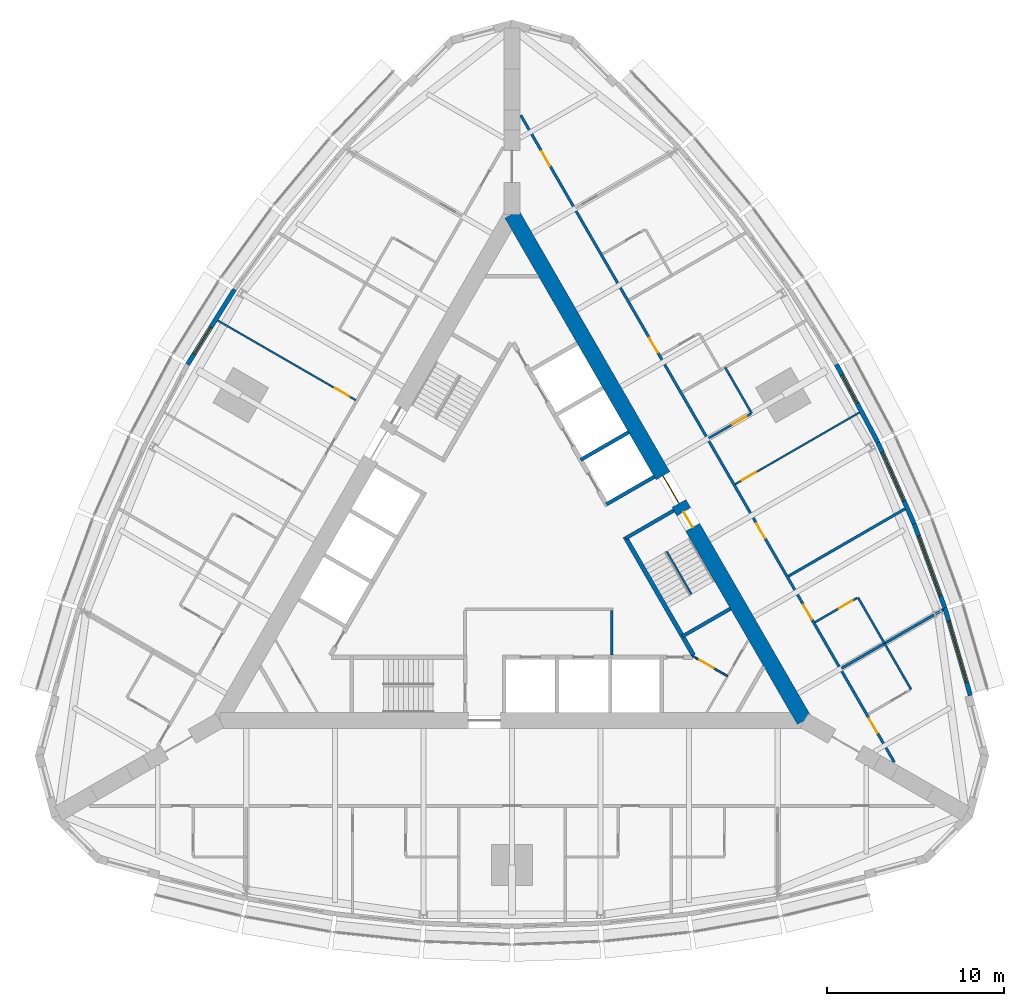
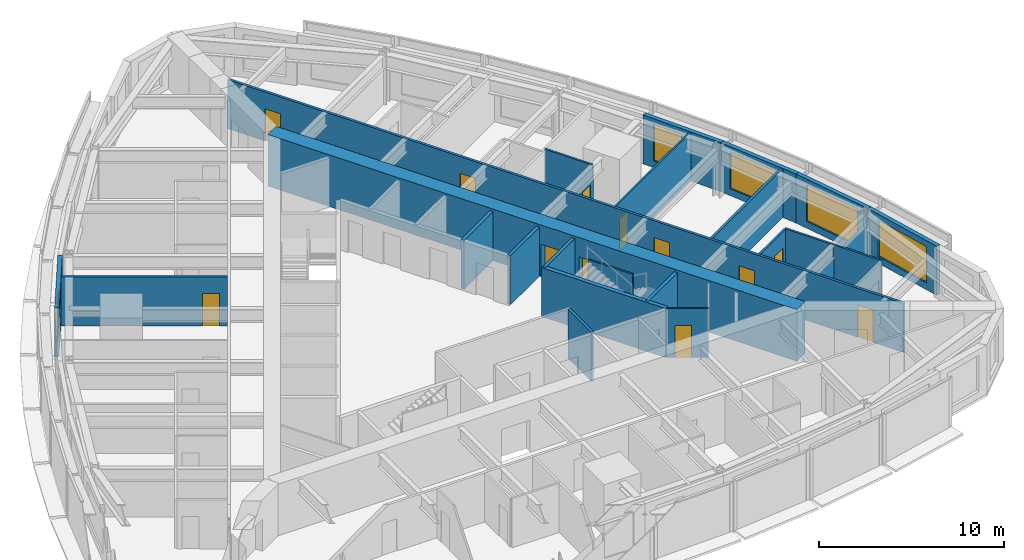
# One storey, part 11 of 14: 24 walls, 12 doors, 5 windows, 17 openings.
"""IFC4 building model written with IfcOpenShell, lengths in metres."""

from ifc_helpers import new_model, si_unit, direction, frame, frame_2d, origin, place, context, subcontext, project, spatial, rectangle, extrude, material, layer, layer_set, type_object, element, fill, save


model = new_model("IFC4")

# Units and contexts
model_context = context("Model", 3, precision=1e-05, world=origin(), true_north=direction((0.0, 1.0)))
body_context = subcontext(model_context, "Body", "Model", "MODEL_VIEW")
ifc_project = project(units=[si_unit("LENGTHUNIT", "METRE"), si_unit("AREAUNIT", "SQUARE_METRE"), si_unit("VOLUMEUNIT", "CUBIC_METRE"), si_unit("PLANEANGLEUNIT", "RADIAN"), si_unit("MASSUNIT", "GRAM", prefix="KILO")], contexts=[model_context])

# Site, building, storey
site_placement = place(None, origin())
site = spatial("IfcSite", under=ifc_project, at=site_placement, CompositionType="ELEMENT")
building_placement = place(site_placement, origin())
building = spatial("IfcBuilding", under=site, at=building_placement, Name="Trikona Tower", CompositionType="ELEMENT")
storey_placement = place(building_placement, frame((0.0, 0.0, 172.5)))
storey = spatial("IfcBuildingStorey", under=building, at=storey_placement, Name="L46", CompositionType="ELEMENT", Elevation=172.5)

# Walls
ifc_material_1 = material(Name="Metal stud and cement board", Category="gypsum")
ifc_layer_1 = layer(ifc_material_1, 0.1201171875)
ifc_layer_set_1 = layer_set([ifc_layer_1], Name="Bathroom wall 120")
wall_type_1 = type_object("IfcWallType", Name="Bathroom wall 120", PredefinedType="PLUMBINGWALL", material=ifc_layer_set_1)
for number, where, z_axis, x_axis, name in (
    (1, (22.53271484375, -7.775390625, 0.0), (0.0, 0.0, 1.0), (-0.499990139034, 0.866031096941, 0.0), "Bathroom wall 4605"),
    (2, (21.03271484375, -5.17724609375, 0.0), (0.0, 0.0, 1.0), (-0.499990139034, 0.866031096941, 0.0), "Bathroom wall 4606"),
):
    element("IfcWall", number, at=place(storey_placement, frame(where, z_axis=z_axis, x_axis=x_axis)), inside=storey, type_object=wall_type_1, Name=name, PredefinedType="PLUMBINGWALL", context=body_context, shape_type="SweptSolid", body=[
        extrude(rectangle(XDim=3.0, YDim=0.1201171875, at=frame_2d((1.5, 0.0))), origin(), (0.0, 0.0, 1.0), 3.235107421875),
    ])

# Wall, opening, door
wall_1_placement = place(storey_placement, frame((17.10791015625, -3.979248046875, 0.0), z_axis=(0.0, 0.0, 1.0), x_axis=(0.865997131366, 0.500048966069, 0.0)))
wall_1 = element("IfcWall", 3, at=wall_1_placement, inside=storey, type_object=wall_type_1, Name="Bathroom wall 4606", PredefinedType="PLUMBINGWALL", context=body_context, shape_type="SweptSolid", body=[
    extrude(rectangle(XDim=2.739990234375, YDim=0.1201171875, at=frame_2d((1.3701171875, 0.0))), origin(), (0.0, 0.0, 1.0), 3.235107421875),
])
opening_1_placement = place(wall_1_placement, frame((1.550048828125, 0.0, 0.0)))
opening_1 = element("IfcOpeningElement", 4, at=opening_1_placement, cuts=wall_1, Name="Opening D2", PredefinedType="OPENING", context=body_context, shape_type="SweptSolid", body=[
    extrude(rectangle(XDim=0.89990234375, YDim=2.1298828125, at=frame_2d((0.449951171875, 1.06494140625))), frame((0.0, 0.070068359375, 0.0), z_axis=(0.0, -1.0, 0.0), x_axis=(1.0, 0.0, 0.0)), (0.0, 0.0, 1.0), 0.14013671875),
])
ifc_material_2 = material(Name="Steel door frame with solid-core timber leaf", Category="steel")
door_type_1 = type_object("IfcDoorType", Name="Bathroom door 900x2130", OperationType="SLIDING_TO_LEFT", PredefinedType="DOOR", material=ifc_material_2)
door_1_placement = place(opening_1_placement, origin())
door_1 = element("IfcDoor", 5, at=door_1_placement, inside=storey, type_object=door_type_1, Name="Bathroom door 4606", OperationType="SLIDING_TO_LEFT", OverallHeight=2.1298828125, OverallWidth=0.89990234375, PredefinedType="DOOR", context=body_context, shape_type="SweptSolid", body=[
    extrude(rectangle(XDim=0.89990234375, YDim=2.1298828125, at=frame_2d((0.449951171875, 1.06494140625))), frame((0.0, 0.02490234375, 0.0), z_axis=(0.0, -1.0, 0.0), x_axis=(1.0, 0.0, 0.0)), (0.0, 0.0, 1.0), 0.050048828125),
])
fill(opening_1, door_1)

# Wall
wall_2_placement = place(storey_placement, frame((13.53271484375, 7.81298828125, 0.0), z_axis=(0.0, 0.0, 1.0), x_axis=(-0.499990139034, 0.866031096941, 0.0)))
element("IfcWall", 6, at=wall_2_placement, inside=storey, type_object=wall_type_1, Name="Bathroom wall 4607.1", PredefinedType="PLUMBINGWALL", context=body_context, shape_type="SweptSolid", body=[
    extrude(rectangle(XDim=3.0, YDim=0.1201171875, at=frame_2d((1.5, 0.0))), origin(), (0.0, 0.0, 1.0), 3.235107421875),
])

# Wall, opening, door
wall_3_placement = place(storey_placement, frame((11.10791015625, 6.4130859375, 0.0), z_axis=(0.0, 0.0, 1.0), x_axis=(0.865997131366, 0.500048966069, 0.0)))
wall_3 = element("IfcWall", 7, at=wall_3_placement, inside=storey, type_object=wall_type_1, Name="Bathroom wall 4607.1", PredefinedType="PLUMBINGWALL", context=body_context, shape_type="SweptSolid", body=[
    extrude(rectangle(XDim=2.739990234375, YDim=0.1201171875, at=frame_2d((1.3701171875, 0.0))), origin(), (0.0, 0.0, 1.0), 2.38916015625),
])
opening_2_placement = place(wall_3_placement, frame((1.550048828125, 0.0, 0.0)))
opening_2 = element("IfcOpeningElement", 8, at=opening_2_placement, cuts=wall_3, Name="Opening D2", PredefinedType="OPENING", context=body_context, shape_type="SweptSolid", body=[
    extrude(rectangle(XDim=0.89990234375, YDim=2.1298828125, at=frame_2d((0.449951171875, 1.06494140625))), frame((0.0, 0.070068359375, 0.0), z_axis=(0.0, -1.0, 0.0), x_axis=(1.0, 0.0, 0.0)), (0.0, 0.0, 1.0), 0.14013671875),
])
door_2_placement = place(opening_2_placement, origin())
door_2 = element("IfcDoor", 9, at=door_2_placement, inside=storey, type_object=door_type_1, Name="Bathroom door 4607.1", OperationType="SLIDING_TO_LEFT", OverallHeight=2.1298828125, OverallWidth=0.89990234375, PredefinedType="DOOR", context=body_context, shape_type="SweptSolid", body=[
    extrude(rectangle(XDim=0.89990234375, YDim=2.1298828125, at=frame_2d((0.449951171875, 1.06494140625))), frame((0.0, 0.02490234375, 0.0), z_axis=(0.0, -1.0, 0.0), x_axis=(1.0, 0.0, 0.0)), (0.0, 0.0, 1.0), 0.050048828125),
])
fill(opening_2, door_2)

# Wall, openings, doors
ifc_material_3 = material(Name="Concrete f'c 10000 psi", Category="concrete")
ifc_layer_2 = layer(ifc_material_3, 0.89990234375)
ifc_layer_set_2 = layer_set([ifc_layer_2], Name="Core wall 900")
wall_type_2 = type_object("IfcWallType", Name="Core wall 900", PredefinedType="SHEAR", material=ifc_layer_set_2)
wall_4_placement = place(storey_placement, frame((16.5, -9.5263671875, 0.0), z_axis=(0.0, 0.0, 1.0), x_axis=(-0.499999749417, 0.866025548458, 0.0)))
wall_4 = element("IfcWall", 10, at=wall_4_placement, inside=storey, type_object=wall_type_2, Name="Core wall B", PredefinedType="SHEAR", context=body_context, shape_type="SweptSolid", body=[
    extrude(rectangle(XDim=33.0, YDim=0.89990234375, at=frame_2d((16.5, 0.0))), origin(), (0.0, 0.0, 1.0), 3.39990234375),
])
opening_3_placement = place(wall_4_placement, frame((14.14990234375, 0.0, 0.0)))
opening_3 = element("IfcOpeningElement", 11, at=opening_3_placement, cuts=wall_4, Name="Opening D6", PredefinedType="OPENING", context=body_context, shape_type="SweptSolid", body=[
    extrude(rectangle(XDim=1.800048828125, YDim=2.1298828125, at=frame_2d((0.89990234375, 1.06494140625))), frame((0.0, 0.4599609375, 0.0), z_axis=(0.0, -1.0, 0.0), x_axis=(1.0, 0.0, 0.0)), (0.0, 0.0, 1.0), 0.919921875),
])
opening_4_placement = place(wall_4_placement, frame((12.60009765625, 0.0, 0.0)))
opening_4 = element("IfcOpeningElement", 12, at=opening_4_placement, cuts=wall_4, Name="Opening D5", PredefinedType="OPENING", context=body_context, shape_type="SweptSolid", body=[
    extrude(rectangle(XDim=1.0, YDim=2.1298828125, at=frame_2d((0.5, 1.06494140625))), frame((0.0, 0.4599609375, 0.0), z_axis=(0.0, -1.0, 0.0), x_axis=(1.0, 0.0, 0.0)), (0.0, 0.0, 1.0), 0.919921875),
])
ifc_material_4 = material(Name="Hollow metal door and frame", Category="steel")
door_type_2 = type_object("IfcDoorType", Name="Lobby door pair 1800x2130", OperationType="DOUBLE_DOOR_SINGLE_SWING", PredefinedType="DOOR", material=ifc_material_4)
door_3_placement = place(opening_3_placement, origin())
door_3 = element("IfcDoor", 13, at=door_3_placement, inside=storey, type_object=door_type_2, Name="Lift lobby door B", OperationType="DOUBLE_DOOR_SINGLE_SWING", OverallHeight=2.1298828125, OverallWidth=1.800048828125, PredefinedType="DOOR", context=body_context, shape_type="SweptSolid", body=[
    extrude(rectangle(XDim=1.800048828125, YDim=2.1298828125, at=frame_2d((0.89990234375, 1.06494140625))), frame((0.0, 0.02490234375, 0.0), z_axis=(0.0, -1.0, 0.0), x_axis=(1.0, 0.0, 0.0)), (0.0, 0.0, 1.0), 0.050048828125),
])
fill(opening_3, door_3)
ifc_material_5 = material(Name="Hollow metal door and frame", Category="steel")
door_type_3 = type_object("IfcDoorType", Name="Stair door 1000x2130", OperationType="SINGLE_SWING_LEFT", PredefinedType="DOOR", material=ifc_material_5)
door_4_placement = place(opening_4_placement, origin())
door_4 = element("IfcDoor", 14, at=door_4_placement, inside=storey, type_object=door_type_3, Name="Stair B door", OperationType="SINGLE_SWING_RIGHT", OverallHeight=2.1298828125, OverallWidth=1.0, PredefinedType="DOOR", context=body_context, shape_type="SweptSolid", body=[
    extrude(rectangle(XDim=1.0, YDim=2.1298828125, at=frame_2d((0.5, 1.06494140625))), frame((0.0, 0.02490234375, 0.0), z_axis=(0.0, -1.0, 0.0), x_axis=(1.0, 0.0, 0.0)), (0.0, 0.0, 1.0), 0.050048828125),
])
fill(opening_4, door_4)

ifc_material_6 = material(Name="Metal stud and gypsum board, 1-hour", Category="gypsum")
ifc_layer_3 = layer(ifc_material_6, 0.14990234375)
ifc_layer_set_3 = layer_set([ifc_layer_3], Name="Corridor wall 150")
wall_type_3 = type_object("IfcWallType", Name="Corridor wall 150", PredefinedType="PARTITIONING", material=ifc_layer_set_3)
wall_5_placement = place(storey_placement, frame((21.5859375, -11.88525390625, 0.0), z_axis=(0.0, 0.0, 1.0), x_axis=(-0.500001915564, 0.86602429783, 0.0)))
wall_5 = element("IfcWall", 15, at=wall_5_placement, inside=storey, type_object=wall_type_3, Name="Corridor wall L46-2", PredefinedType="PARTITIONING", context=body_context, shape_type="SweptSolid", body=[
    extrude(rectangle(XDim=42.171630859375, YDim=0.14990234375, at=frame_2d((21.0859375, 0.0))), origin(), (0.0, 0.0, 1.0), 3.235107421875),
])
opening_5_placement = place(wall_5_placement, frame((1.910888671875, 0.0, 0.0)))
opening_5 = element("IfcOpeningElement", 16, at=opening_5_placement, cuts=wall_5, Name="Opening D1", PredefinedType="OPENING", context=body_context, shape_type="SweptSolid", body=[
    extrude(rectangle(XDim=0.949951171875, YDim=2.1298828125, at=frame_2d((0.47509765625, 1.06494140625))), frame((0.0, 0.0849609375, 0.0), z_axis=(0.0, -1.0, 0.0), x_axis=(1.0, 0.0, 0.0)), (0.0, 0.0, 1.0), 0.169921875),
])
opening_6_placement = place(wall_5_placement, frame((9.310791015625, 0.0, 0.0)))
opening_6 = element("IfcOpeningElement", 17, at=opening_6_placement, cuts=wall_5, Name="Opening D1", PredefinedType="OPENING", context=body_context, shape_type="SweptSolid", body=[
    extrude(rectangle(XDim=0.949951171875, YDim=2.1298828125, at=frame_2d((0.47509765625, 1.06494140625))), frame((0.0, 0.0849609375, 0.0), z_axis=(0.0, -1.0, 0.0), x_axis=(1.0, 0.0, 0.0)), (0.0, 0.0, 1.0), 0.169921875),
])
opening_7_placement = place(wall_5_placement, frame((14.61083984375, 0.0, 0.0)))
opening_7 = element("IfcOpeningElement", 18, at=opening_7_placement, cuts=wall_5, Name="Opening D1", PredefinedType="OPENING", context=body_context, shape_type="SweptSolid", body=[
    extrude(rectangle(XDim=0.949951171875, YDim=2.1298828125, at=frame_2d((0.47509765625, 1.06494140625))), frame((0.0, 0.0849609375, 0.0), z_axis=(0.0, -1.0, 0.0), x_axis=(1.0, 0.0, 0.0)), (0.0, 0.0, 1.0), 0.169921875),
])
opening_8_placement = place(wall_5_placement, frame((26.7109375, 0.0, 0.0)))
opening_8 = element("IfcOpeningElement", 19, at=opening_8_placement, cuts=wall_5, Name="Opening D1", PredefinedType="OPENING", context=body_context, shape_type="SweptSolid", body=[
    extrude(rectangle(XDim=0.949951171875, YDim=2.1298828125, at=frame_2d((0.47509765625, 1.06494140625))), frame((0.0, 0.0849609375, 0.0), z_axis=(0.0, -1.0, 0.0), x_axis=(1.0, 0.0, 0.0)), (0.0, 0.0, 1.0), 0.169921875),
])
opening_9_placement = place(wall_5_placement, frame((38.884033203125, 0.0, 0.0)))
opening_9 = element("IfcOpeningElement", 20, at=opening_9_placement, cuts=wall_5, Name="Opening D1", PredefinedType="OPENING", context=body_context, shape_type="SweptSolid", body=[
    extrude(rectangle(XDim=0.949951171875, YDim=2.1298828125, at=frame_2d((0.47509765625, 1.06494140625))), frame((0.0, 0.0849609375, 0.0), z_axis=(0.0, -1.0, 0.0), x_axis=(1.0, 0.0, 0.0)), (0.0, 0.0, 1.0), 0.169921875),
])
ifc_material_7 = material(Name="Steel door frame with solid-core timber leaf", Category="steel")
door_type_4 = type_object("IfcDoorType", Name="Guest room door 950x2130", OperationType="SINGLE_SWING_LEFT", PredefinedType="DOOR", material=ifc_material_7)
door_5_placement = place(opening_5_placement, origin())
door_5 = element("IfcDoor", 21, at=door_5_placement, inside=storey, type_object=door_type_4, Name="Room door 4605", OperationType="SINGLE_SWING_LEFT", OverallHeight=2.1298828125, OverallWidth=0.949951171875, PredefinedType="DOOR", context=body_context, shape_type="SweptSolid", body=[
    extrude(rectangle(XDim=0.949951171875, YDim=2.1298828125, at=frame_2d((0.47509765625, 1.06494140625))), frame((0.0, 0.02490234375, 0.0), z_axis=(0.0, -1.0, 0.0), x_axis=(1.0, 0.0, 0.0)), (0.0, 0.0, 1.0), 0.050048828125),
])
fill(opening_5, door_5)
door_6_placement = place(opening_6_placement, origin())
door_6 = element("IfcDoor", 22, at=door_6_placement, inside=storey, type_object=door_type_4, Name="Room door 4606", OperationType="SINGLE_SWING_RIGHT", OverallHeight=2.1298828125, OverallWidth=0.949951171875, PredefinedType="DOOR", context=body_context, shape_type="SweptSolid", body=[
    extrude(rectangle(XDim=0.949951171875, YDim=2.1298828125, at=frame_2d((0.47509765625, 1.06494140625))), frame((0.0, 0.02490234375, 0.0), z_axis=(0.0, -1.0, 0.0), x_axis=(1.0, 0.0, 0.0)), (0.0, 0.0, 1.0), 0.050048828125),
])
fill(opening_6, door_6)
door_7_placement = place(opening_7_placement, origin())
door_7 = element("IfcDoor", 23, at=door_7_placement, inside=storey, type_object=door_type_4, Name="Room door 4607", OperationType="SINGLE_SWING_LEFT", OverallHeight=2.1298828125, OverallWidth=0.949951171875, PredefinedType="DOOR", context=body_context, shape_type="SweptSolid", body=[
    extrude(rectangle(XDim=0.949951171875, YDim=2.1298828125, at=frame_2d((0.47509765625, 1.06494140625))), frame((0.0, 0.02490234375, 0.0), z_axis=(0.0, -1.0, 0.0), x_axis=(1.0, 0.0, 0.0)), (0.0, 0.0, 1.0), 0.050048828125),
])
fill(opening_7, door_7)
door_8_placement = place(opening_8_placement, origin())
door_8 = element("IfcDoor", 24, at=door_8_placement, inside=storey, type_object=door_type_4, Name="Room door 4608", OperationType="SINGLE_SWING_RIGHT", OverallHeight=2.1298828125, OverallWidth=0.949951171875, PredefinedType="DOOR", context=body_context, shape_type="SweptSolid", body=[
    extrude(rectangle(XDim=0.949951171875, YDim=2.1298828125, at=frame_2d((0.47509765625, 1.06494140625))), frame((0.0, 0.02490234375, 0.0), z_axis=(0.0, -1.0, 0.0), x_axis=(1.0, 0.0, 0.0)), (0.0, 0.0, 1.0), 0.050048828125),
])
fill(opening_8, door_8)
door_9_placement = place(opening_9_placement, origin())
door_9 = element("IfcDoor", 25, at=door_9_placement, inside=storey, type_object=door_type_4, Name="Room door 4609", OperationType="SINGLE_SWING_RIGHT", OverallHeight=2.1298828125, OverallWidth=0.949951171875, PredefinedType="DOOR", context=body_context, shape_type="SweptSolid", body=[
    extrude(rectangle(XDim=0.949951171875, YDim=2.1298828125, at=frame_2d((0.47509765625, 1.06494140625))), frame((0.0, 0.02490234375, 0.0), z_axis=(0.0, -1.0, 0.0), x_axis=(1.0, 0.0, 0.0)), (0.0, 0.0, 1.0), 0.050048828125),
])
fill(opening_9, door_9)

# Wall
ifc_material_8 = material(Name="Concrete f'c 8000 psi", Category="concrete")
ifc_layer_4 = layer(ifc_material_8, 0.25)
ifc_layer_set_4 = layer_set([ifc_layer_4], Name="Hub wall 250")
wall_type_4 = type_object("IfcWallType", Name="Hub wall 250", PredefinedType="SOLIDWALL", material=ifc_layer_set_4)
wall_6_placement = place(storey_placement, frame((10.245361328125, -5.843017578125, 0.0), z_axis=(0.0, 0.0, 1.0), x_axis=(-0.499993009313, 0.866029439822, 0.0)))
element("IfcWall", 26, at=wall_6_placement, inside=storey, type_object=wall_type_4, Name="Lift lobby wall B1", PredefinedType="SOLIDWALL", context=body_context, shape_type="SweptSolid", body=[
    extrude(rectangle(XDim=7.73291015625, YDim=0.25, at=frame_2d((3.866455078125, 0.0))), origin(), (0.0, 0.0, 1.0), 3.235107421875),
])

# Wall, opening, window
ifc_material_9 = material(Name="Insulated precast concrete spandrel panel", Category="concrete")
ifc_layer_5 = layer(ifc_material_9, 0.25)
ifc_layer_set_5 = layer_set([ifc_layer_5], Name="Inner skin wall 250")
wall_type_5 = type_object("IfcWallType", Name="Inner skin wall 250", PredefinedType="STANDARD", material=ifc_layer_set_5)
wall_7_placement = place(storey_placement, frame((25.8798828125, -8.117919921875, 0.0), z_axis=(0.0, 0.0, 1.0), x_axis=(-0.279528287117, 0.960137457191, 0.0)))
wall_7 = element("IfcWall", 27, at=wall_7_placement, inside=storey, type_object=wall_type_5, Name="External wall L46-12", PredefinedType="STANDARD", context=body_context, shape_type="SweptSolid", body=[
    extrude(rectangle(XDim=5.14794921875, YDim=0.25, at=frame_2d((2.573974609375, 0.0))), origin(), (0.0, 0.0, 1.0), 3.235107421875),
])
opening_10_placement = place(wall_7_placement, frame((0.77392578125, 0.0, 0.449951171875)))
opening_10 = element("IfcOpeningElement", 28, at=opening_10_placement, cuts=wall_7, Name="Opening W3624", PredefinedType="OPENING", context=body_context, shape_type="SweptSolid", body=[
    extrude(rectangle(XDim=3.60009765625, YDim=2.39990234375, at=frame_2d((1.800048828125, 1.199951171875))), frame((0.0, 0.135009765625, 0.0), z_axis=(0.0, -1.0, 0.0), x_axis=(1.0, 0.0, 0.0)), (0.0, 0.0, 1.0), 0.27001953125),
])
ifc_material_10 = material(Name="Aluminium-framed double glazing", Category="aluminium")
window_type_1 = type_object("IfcWindowType", Name="Window 3600x2400", PartitioningType="SINGLE_PANEL", PredefinedType="WINDOW", material=ifc_material_10)
window_1_placement = place(opening_10_placement, origin())
window_1 = element("IfcWindow", 29, at=window_1_placement, inside=storey, type_object=window_type_1, Name="Window 4605", OverallHeight=2.39990234375, OverallWidth=3.60009765625, PartitioningType="SINGLE_PANEL", PredefinedType="WINDOW", context=body_context, shape_type="SweptSolid", body=[
    extrude(rectangle(XDim=3.60009765625, YDim=2.39990234375, at=frame_2d((1.800048828125, 1.199951171875))), frame((0.0, 0.030029296875, 0.0), z_axis=(0.0, -1.0, 0.0), x_axis=(1.0, 0.0, 0.0)), (0.0, 0.0, 1.0), 0.06005859375),
])
fill(opening_10, window_1)

wall_8_placement = place(storey_placement, frame((24.443603515625, -3.18310546875, 0.0), z_axis=(0.0, 0.0, 1.0), x_axis=(-0.343225593282, 0.939252996863, 0.0)))
wall_8 = element("IfcWall", 30, at=wall_8_placement, inside=storey, type_object=wall_type_5, Name="External wall L46-13", PredefinedType="STANDARD", context=body_context, shape_type="SweptSolid", body=[
    extrude(rectangle(XDim=5.075927734375, YDim=0.25, at=frame_2d((2.5380859375, 0.0))), origin(), (0.0, 0.0, 1.0), 3.235107421875),
])
opening_11_placement = place(wall_8_placement, frame((0.738037109375, 0.0, 0.449951171875)))
opening_11 = element("IfcOpeningElement", 31, at=opening_11_placement, cuts=wall_8, Name="Opening W3624", PredefinedType="OPENING", context=body_context, shape_type="SweptSolid", body=[
    extrude(rectangle(XDim=3.60009765625, YDim=2.39990234375, at=frame_2d((1.800048828125, 1.199951171875))), frame((0.0, 0.135009765625, 0.0), z_axis=(0.0, -1.0, 0.0), x_axis=(1.0, 0.0, 0.0)), (0.0, 0.0, 1.0), 0.27001953125),
])
window_2_placement = place(opening_11_placement, origin())
window_2 = element("IfcWindow", 32, at=window_2_placement, inside=storey, type_object=window_type_1, Name="Window 4606", OverallHeight=2.39990234375, OverallWidth=3.60009765625, PartitioningType="SINGLE_PANEL", PredefinedType="WINDOW", context=body_context, shape_type="SweptSolid", body=[
    extrude(rectangle(XDim=3.60009765625, YDim=2.39990234375, at=frame_2d((1.800048828125, 1.199951171875))), frame((0.0, 0.030029296875, 0.0), z_axis=(0.0, -1.0, 0.0), x_axis=(1.0, 0.0, 0.0)), (0.0, 0.0, 1.0), 0.06005859375),
])
fill(opening_11, window_2)

wall_9_placement = place(storey_placement, frame((22.70458984375, 1.576416015625, 0.0), z_axis=(0.0, 0.0, 1.0), x_axis=(-0.406832200364, 0.913502906808, 0.0)))
wall_9 = element("IfcWall", 33, at=wall_9_placement, inside=storey, type_object=wall_type_5, Name="External wall L46-14", PredefinedType="STANDARD", context=body_context, shape_type="SweptSolid", body=[
    extrude(rectangle(XDim=5.027587890625, YDim=0.25, at=frame_2d((2.513671875, 0.0))), origin(), (0.0, 0.0, 1.0), 3.235107421875),
])
opening_12_placement = place(wall_9_placement, frame((1.41796875, 0.0, 0.449951171875)))
opening_12 = element("IfcOpeningElement", 34, at=opening_12_placement, cuts=wall_9, Name="Opening W3024", PredefinedType="OPENING", context=body_context, shape_type="SweptSolid", body=[
    extrude(rectangle(XDim=3.0, YDim=2.39990234375, at=frame_2d((1.5, 1.199951171875))), frame((0.0, 0.135009765625, 0.0), z_axis=(0.0, -1.0, 0.0), x_axis=(1.0, 0.0, 0.0)), (0.0, 0.0, 1.0), 0.27001953125),
])
ifc_material_11 = material(Name="Aluminium-framed double glazing", Category="aluminium")
window_type_2 = type_object("IfcWindowType", Name="Window 3000x2400", PartitioningType="SINGLE_PANEL", PredefinedType="WINDOW", material=ifc_material_11)
window_3_placement = place(opening_12_placement, origin())
window_3 = element("IfcWindow", 35, at=window_3_placement, inside=storey, type_object=window_type_2, Name="Window 4607", OverallHeight=2.39990234375, OverallWidth=3.0, PartitioningType="SINGLE_PANEL", PredefinedType="WINDOW", context=body_context, shape_type="SweptSolid", body=[
    extrude(rectangle(XDim=3.0, YDim=2.39990234375, at=frame_2d((1.5, 1.199951171875))), frame((0.0, 0.030029296875, 0.0), z_axis=(0.0, -1.0, 0.0), x_axis=(1.0, 0.0, 0.0)), (0.0, 0.0, 1.0), 0.06005859375),
])
fill(opening_12, window_3)

wall_10_placement = place(storey_placement, frame((20.662841796875, 6.161376953125, 0.0), z_axis=(0.0, 0.0, 1.0), x_axis=(-0.469404966864, 0.882982999317, 0.0)))
wall_10 = element("IfcWall", 36, at=wall_10_placement, inside=storey, type_object=wall_type_5, Name="External wall L46-15", PredefinedType="STANDARD", context=body_context, shape_type="SweptSolid", body=[
    extrude(rectangle(XDim=5.0029296875, YDim=0.25, at=frame_2d((2.50146484375, 0.0))), origin(), (0.0, 0.0, 1.0), 3.235107421875),
])
opening_13_placement = place(wall_10_placement, frame((2.519287109375, 0.0, 0.449951171875)))
opening_13 = element("IfcOpeningElement", 37, at=opening_13_placement, cuts=wall_10, Name="Opening W1824", PredefinedType="OPENING", context=body_context, shape_type="SweptSolid", body=[
    extrude(rectangle(XDim=1.800048828125, YDim=2.39990234375, at=frame_2d((0.89990234375, 1.199951171875))), frame((0.0, 0.135009765625, 0.0), z_axis=(0.0, -1.0, 0.0), x_axis=(1.0, 0.0, 0.0)), (0.0, 0.0, 1.0), 0.27001953125),
])
ifc_material_12 = material(Name="Aluminium-framed double glazing", Category="aluminium")
window_type_3 = type_object("IfcWindowType", Name="Window 1800x2400", PartitioningType="SINGLE_PANEL", PredefinedType="WINDOW", material=ifc_material_12)
window_4_placement = place(opening_13_placement, origin())
window_4 = element("IfcWindow", 38, at=window_4_placement, inside=storey, type_object=window_type_3, Name="Window 4607.1", OverallHeight=2.39990234375, OverallWidth=1.800048828125, PartitioningType="SINGLE_PANEL", PredefinedType="WINDOW", context=body_context, shape_type="SweptSolid", body=[
    extrude(rectangle(XDim=1.800048828125, YDim=2.39990234375, at=frame_2d((0.89990234375, 1.199951171875))), frame((0.0, 0.030029296875, 0.0), z_axis=(0.0, -1.0, 0.0), x_axis=(1.0, 0.0, 0.0)), (0.0, 0.0, 1.0), 0.06005859375),
])
fill(opening_13, window_4)

wall_11_placement = place(storey_placement, frame((-15.667236328125, 14.81396484375, 0.0), z_axis=(0.0, 0.0, 1.0), x_axis=(-0.529990167382, -0.84800378683, 0.0)))
wall_11 = element("IfcWall", 39, at=wall_11_placement, inside=storey, type_object=wall_type_5, Name="External wall L46-27", PredefinedType="STANDARD", context=body_context, shape_type="SweptSolid", body=[
    extrude(rectangle(XDim=5.003173828125, YDim=0.25, at=frame_2d((2.50146484375, 0.0))), origin(), (0.0, 0.0, 1.0), 3.235107421875),
])
opening_14_placement = place(wall_11_placement, frame((2.519287109375, 0.0, 0.449951171875)))
opening_14 = element("IfcOpeningElement", 40, at=opening_14_placement, cuts=wall_11, Name="Opening W1824", PredefinedType="OPENING", context=body_context, shape_type="SweptSolid", body=[
    extrude(rectangle(XDim=1.800048828125, YDim=2.39990234375, at=frame_2d((0.89990234375, 1.199951171875))), frame((0.0, 0.135009765625, 0.0), z_axis=(0.0, -1.0, 0.0), x_axis=(1.0, 0.0, 0.0)), (0.0, 0.0, 1.0), 0.27001953125),
])
window_5_placement = place(opening_14_placement, origin())
window_5 = element("IfcWindow", 41, at=window_5_placement, inside=storey, type_object=window_type_3, Name="Window 4611", OverallHeight=2.39990234375, OverallWidth=1.800048828125, PartitioningType="SINGLE_PANEL", PredefinedType="WINDOW", context=body_context, shape_type="SweptSolid", body=[
    extrude(rectangle(XDim=1.800048828125, YDim=2.39990234375, at=frame_2d((0.89990234375, 1.199951171875))), frame((0.0, 0.030029296875, 0.0), z_axis=(0.0, -1.0, 0.0), x_axis=(1.0, 0.0, 0.0)), (0.0, 0.0, 1.0), 0.06005859375),
])
fill(opening_14, window_5)

# Walls
ifc_material_13 = material(Name="Metal stud and gypsum board, 2-hour shaft wall", Category="gypsum")
ifc_layer_6 = layer(ifc_material_13, 0.14990234375)
ifc_layer_set_6 = layer_set([ifc_layer_6], Name="Lobby wall 150")
wall_type_6 = type_object("IfcWallType", Name="Lobby wall 150", PredefinedType="PARTITIONING", material=ifc_layer_set_6)
wall_12_placement = place(storey_placement, frame((5.625, -5.826416015625, 0.0), z_axis=(0.0, 0.0, 1.0), x_axis=(0.0, 1.0, 0.0)))
element("IfcWall", 42, at=wall_12_placement, inside=storey, type_object=wall_type_6, Name="Fire service lift lobby wall 3", PredefinedType="PARTITIONING", context=body_context, shape_type="SweptSolid", body=[
    extrude(rectangle(XDim=2.5, YDim=0.14990234375, at=frame_2d((1.25, 0.0))), origin(), (0.0, 0.0, 1.0), 3.235107421875),
])
ifc_material_14 = material(Name="Metal stud and gypsum board, 1-hour acoustic", Category="gypsum")
ifc_layer_7 = layer(ifc_material_14, 0.14990234375)
ifc_layer_set_7 = layer_set([ifc_layer_7], Name="Party wall 150")
wall_type_7 = type_object("IfcWallType", Name="Party wall 150", PredefinedType="PARTITIONING", material=ifc_layer_set_7)
wall_13_placement = place(storey_placement, frame((18.60791015625, -6.5771484375, 0.0), z_axis=(0.0, 0.0, 1.0), x_axis=(0.866031967744, 0.499988630717, 0.0)))
element("IfcWall", 43, at=wall_13_placement, inside=storey, type_object=wall_type_7, Name="Partition L46 F2 u-15", PredefinedType="PARTITIONING", context=body_context, shape_type="SweptSolid", body=[
    extrude(rectangle(XDim=6.616455078125, YDim=0.14990234375, at=frame_2d((3.30810546875, 0.0))), origin(), (0.0, 0.0, 1.0), 2.38916015625),
])
wall_14_placement = place(storey_placement, frame((15.60791015625, -1.381103515625, 0.0), z_axis=(0.0, 0.0, 1.0), x_axis=(0.866025154315, 0.500000432093, 0.0)))
element("IfcWall", 44, at=wall_14_placement, inside=storey, type_object=wall_type_7, Name="Partition L46 F2 u-9", PredefinedType="PARTITIONING", context=body_context, shape_type="SweptSolid", body=[
    extrude(rectangle(XDim=7.6025390625, YDim=0.14990234375, at=frame_2d((3.80126953125, 0.0))), origin(), (0.0, 0.0, 1.0), 3.235107421875),
])
ifc_material_15 = material(Name="Concrete f'c 8000 psi", Category="concrete")
ifc_layer_8 = layer(ifc_material_15, 0.199951171875)
ifc_layer_set_8 = layer_set([ifc_layer_8], Name="Shaft wall 200")
wall_type_8 = type_object("IfcWallType", Name="Shaft wall 200", PredefinedType="SOLIDWALL", material=ifc_layer_set_8)
for number, where, z_axis, x_axis, name in (
    (45, (5.3291015625, 2.672607421875, 0.0), (0.0, 0.0, 1.0), (0.866022959057, 0.500004234368, 0.0), "Shaft wall B3"),
    (46, (3.87890625, 5.18408203125, 0.0), (0.0, 0.0, 1.0), (0.866022959057, 0.500004234368, 0.0), "Shaft wall B4"),
):
    element("IfcWall", number, at=place(storey_placement, frame(where, z_axis=z_axis, x_axis=x_axis)), inside=storey, type_object=wall_type_8, Name=name, PredefinedType="SOLIDWALL", context=body_context, shape_type="SweptSolid", body=[
        extrude(rectangle(XDim=3.125, YDim=0.199951171875, at=frame_2d((1.5625, 0.0))), origin(), (0.0, 0.0, 1.0), 3.235107421875),
    ])
ifc_material_16 = material(Name="Concrete f'c 8000 psi", Category="concrete")
ifc_layer_9 = layer(ifc_material_16, 0.199951171875)
ifc_layer_set_9 = layer_set([ifc_layer_9], Name="Shaft wall 200 load-bearing")
wall_type_9 = type_object("IfcWallType", Name="Shaft wall 200 load-bearing", PredefinedType="SOLIDWALL", material=ifc_layer_set_9)
for number, where, z_axis, x_axis, name in (
    (47, (9.62890625, -4.775390625, 0.0), (0.0, 0.0, 1.0), (0.866022959057, 0.500004234368, 0.0), "Shaft wall B1"),
    (48, (6.428955078125, 0.767333984375, 0.0), (0.0, 0.0, 1.0), (0.866022959057, 0.500004234368, 0.0), "Shaft wall B2"),
):
    element("IfcWall", number, at=place(storey_placement, frame(where, z_axis=z_axis, x_axis=x_axis)), inside=storey, type_object=wall_type_9, Name=name, PredefinedType="SOLIDWALL", context=body_context, shape_type="SweptSolid", body=[
        extrude(rectangle(XDim=3.125, YDim=0.199951171875, at=frame_2d((1.5625, 0.0))), origin(), (0.0, 0.0, 1.0), 3.235107421875),
    ])
ifc_material_17 = material(Name="Concrete f'c 5000 psi", Category="concrete")
ifc_layer_10 = layer(ifc_material_17, 0.10009765625)
ifc_layer_set_10 = layer_set([ifc_layer_10], Name="Stair spine wall 100")
wall_type_10 = type_object("IfcWallType", Name="Stair spine wall 100", PredefinedType="SOLIDWALL", material=ifc_layer_set_10)
wall_15_placement = place(storey_placement, frame((10.134765625, -2.4013671875, 0.0), z_axis=(0.0, 0.0, 1.0), x_axis=(-0.499992232847, 0.866029888106, 0.0)))
element("IfcWall", 49, at=wall_15_placement, inside=storey, type_object=wall_type_10, Name="Stair B spine wall L46", PredefinedType="SOLIDWALL", context=body_context, shape_type="SweptSolid", body=[
    extrude(rectangle(XDim=2.7939453125, YDim=0.10009765625, at=frame_2d((1.39697265625, 0.0))), origin(), (0.0, 0.0, 1.0), 3.39990234375),
])

# Wall, opening, door
ifc_material_18 = material(Name="Metal stud and gypsum board, acoustic", Category="gypsum")
ifc_layer_11 = layer(ifc_material_18, 0.10009765625)
ifc_layer_set_11 = layer_set([ifc_layer_11], Name="Suite partition 100")
wall_type_11 = type_object("IfcWallType", Name="Suite partition 100", PredefinedType="PARTITIONING", material=ifc_layer_set_11)
wall_16_placement = place(storey_placement, frame((12.60791015625, 3.815185546875, 0.0), z_axis=(0.0, 0.0, 1.0), x_axis=(0.866021827868, 0.500006193617, 0.0)))
wall_16 = element("IfcWall", 50, at=wall_16_placement, inside=storey, type_object=wall_type_11, Name="Suite partition L46 F2 u-3", PredefinedType="PARTITIONING", context=body_context, shape_type="SweptSolid", body=[
    extrude(rectangle(XDim=8.09375, YDim=0.10009765625, at=frame_2d((4.046875, 0.0))), origin(), (0.0, 0.0, 1.0), 3.235107421875),
])
opening_15_placement = place(wall_16_placement, frame((0.449951171875, 0.0, 0.0)))
opening_15 = element("IfcOpeningElement", 51, at=opening_15_placement, cuts=wall_16, Name="Opening D13", PredefinedType="OPENING", context=body_context, shape_type="SweptSolid", body=[
    extrude(rectangle(XDim=0.89990234375, YDim=2.1298828125, at=frame_2d((0.449951171875, 1.06494140625))), frame((0.0, 0.06005859375, 0.0), z_axis=(0.0, -1.0, 0.0), x_axis=(1.0, 0.0, 0.0)), (0.0, 0.0, 1.0), 0.1201171875),
])
ifc_material_19 = material(Name="Steel door frame with solid-core timber leaf", Category="steel")
door_type_5 = type_object("IfcDoorType", Name="Suite door 900x2130", OperationType="SINGLE_SWING_LEFT", PredefinedType="DOOR", material=ifc_material_19)
door_10_placement = place(opening_15_placement, origin())
door_10 = element("IfcDoor", 52, at=door_10_placement, inside=storey, type_object=door_type_5, Name="Suite door 4607", OperationType="SINGLE_SWING_LEFT", OverallHeight=2.1298828125, OverallWidth=0.89990234375, PredefinedType="DOOR", context=body_context, shape_type="SweptSolid", body=[
    extrude(rectangle(XDim=0.89990234375, YDim=2.1298828125, at=frame_2d((0.449951171875, 1.06494140625))), frame((0.0, 0.02490234375, 0.0), z_axis=(0.0, -1.0, 0.0), x_axis=(1.0, 0.0, 0.0)), (0.0, 0.0, 1.0), 0.050048828125),
])
fill(opening_15, door_10)

wall_17_placement = place(storey_placement, frame((-8.82861328125, 8.561279296875, 0.0), z_axis=(0.0, 0.0, 1.0), x_axis=(-0.866021034389, 0.500007567939, 0.0)))
wall_17 = element("IfcWall", 53, at=wall_17_placement, inside=storey, type_object=wall_type_11, Name="Suite partition L46 F3 u-3", PredefinedType="PARTITIONING", context=body_context, shape_type="SweptSolid", body=[
    extrude(rectangle(XDim=8.993408203125, YDim=0.10009765625, at=frame_2d((4.49658203125, 0.0))), origin(), (0.0, 0.0, 1.0), 3.235107421875),
])
opening_16_placement = place(wall_17_placement, frame((0.449951171875, 0.0, 0.0)))
opening_16 = element("IfcOpeningElement", 54, at=opening_16_placement, cuts=wall_17, Name="Opening D13", PredefinedType="OPENING", context=body_context, shape_type="SweptSolid", body=[
    extrude(rectangle(XDim=0.89990234375, YDim=2.1298828125, at=frame_2d((0.449951171875, 1.06494140625))), frame((0.0, 0.06005859375, 0.0), z_axis=(0.0, -1.0, 0.0), x_axis=(1.0, 0.0, 0.0)), (0.0, 0.0, 1.0), 0.1201171875),
])
door_11_placement = place(opening_16_placement, origin())
door_11 = element("IfcDoor", 55, at=door_11_placement, inside=storey, type_object=door_type_5, Name="Suite door 4611", OperationType="SINGLE_SWING_LEFT", OverallHeight=2.1298828125, OverallWidth=0.89990234375, PredefinedType="DOOR", context=body_context, shape_type="SweptSolid", body=[
    extrude(rectangle(XDim=0.89990234375, YDim=2.1298828125, at=frame_2d((0.449951171875, 1.06494140625))), frame((0.0, 0.02490234375, 0.0), z_axis=(0.0, -1.0, 0.0), x_axis=(1.0, 0.0, 0.0)), (0.0, 0.0, 1.0), 0.050048828125),
])
fill(opening_16, door_11)

wall_18_placement = place(storey_placement, frame((12.169921875, -7.0263671875, 0.0), z_axis=(0.0, 0.0, 1.0), x_axis=(-0.866015833478, 0.50001657589, 0.0)))
wall_18 = element("IfcWall", 56, at=wall_18_placement, inside=storey, type_object=wall_type_11, Name="Store partition L46-RS1", PredefinedType="PARTITIONING", context=body_context, shape_type="SweptSolid", body=[
    extrude(rectangle(XDim=2.275390625, YDim=0.10009765625, at=frame_2d((1.1376953125, 0.0))), origin(), (0.0, 0.0, 1.0), 3.235107421875),
])
opening_17_placement = place(wall_18_placement, frame((0.9150390625, 0.0, 0.0)))
opening_17 = element("IfcOpeningElement", 57, at=opening_17_placement, cuts=wall_18, Name="Opening D15", PredefinedType="OPENING", context=body_context, shape_type="SweptSolid", body=[
    extrude(rectangle(XDim=0.89990234375, YDim=2.1298828125, at=frame_2d((0.449951171875, 1.06494140625))), frame((0.0, 0.06005859375, 0.0), z_axis=(0.0, -1.0, 0.0), x_axis=(1.0, 0.0, 0.0)), (0.0, 0.0, 1.0), 0.1201171875),
])
ifc_material_20 = material(Name="Steel door frame with solid-core timber leaf", Category="steel")
door_type_6 = type_object("IfcDoorType", Name="Store door 900x2130", OperationType="SINGLE_SWING_LEFT", PredefinedType="DOOR", material=ifc_material_20)
door_12_placement = place(opening_17_placement, origin())
door_12 = element("IfcDoor", 58, at=door_12_placement, inside=storey, type_object=door_type_6, Name="Door Minibar store MBS", OperationType="SINGLE_SWING_RIGHT", OverallHeight=2.1298828125, OverallWidth=0.89990234375, PredefinedType="DOOR", context=body_context, shape_type="SweptSolid", body=[
    extrude(rectangle(XDim=0.89990234375, YDim=2.1298828125, at=frame_2d((0.449951171875, 1.06494140625))), frame((0.0, 0.02490234375, 0.0), z_axis=(0.0, -1.0, 0.0), x_axis=(1.0, 0.0, 0.0)), (0.0, 0.0, 1.0), 0.050048828125),
])
fill(opening_17, door_12)

save(model, "model.ifc")
